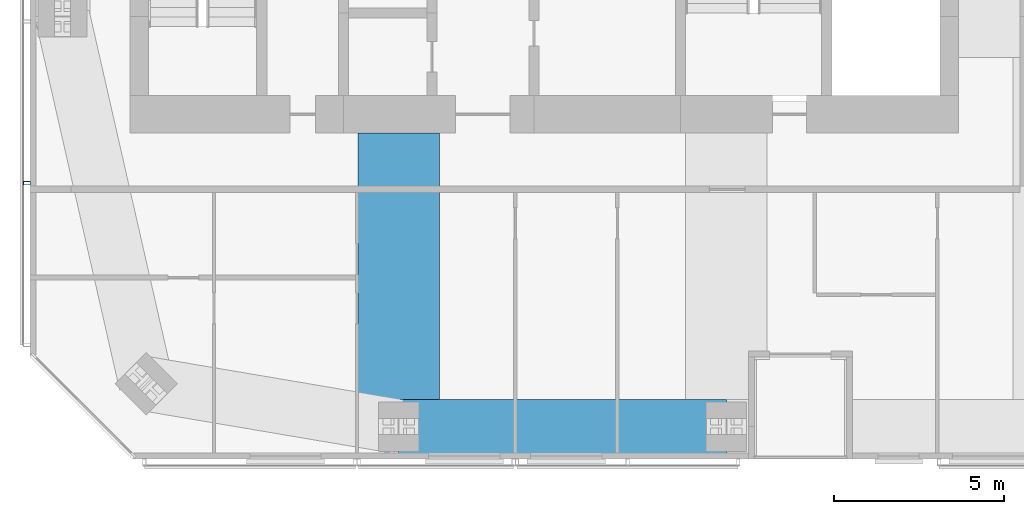
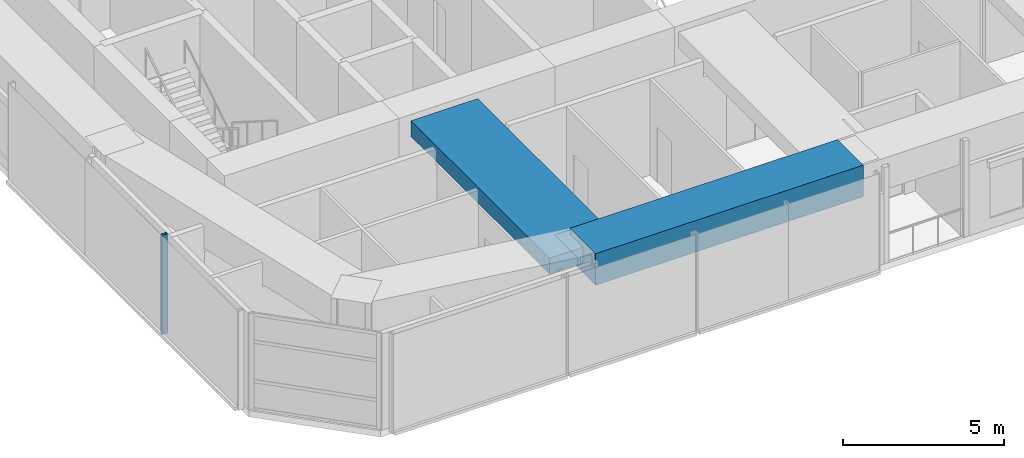
# One storey, part 3 of 20: 2 beams, 1 member, 1 element without a shape of its own.
"""IFC4 building model written with IfcOpenShell, lengths in metres."""

from ifc_helpers import new_model, si_unit, direction, frame, origin, origin_2d, place, context, subcontext, project, spatial, rectangle, hollow_rectangle, extrude, material, material_profile, profile_set, type_object, element, aggregate, save


model = new_model("IFC4")

# Units and contexts
model_context = context("Model", 3, precision=1e-05, world=origin(), true_north=direction((0.0, 1.0)))
body_context = subcontext(model_context, "Body", "Model", "MODEL_VIEW")
ifc_project = project(units=[si_unit("LENGTHUNIT", "METRE"), si_unit("AREAUNIT", "SQUARE_METRE"), si_unit("VOLUMEUNIT", "CUBIC_METRE"), si_unit("PLANEANGLEUNIT", "RADIAN"), si_unit("MASSUNIT", "GRAM", prefix="KILO")], contexts=[model_context])

# Site, building, storey
site_placement = place(None, origin())
site = spatial("IfcSite", under=ifc_project, at=site_placement, CompositionType="ELEMENT")
building_placement = place(site_placement, origin())
building = spatial("IfcBuilding", under=site, at=building_placement, Name="Jalousie Tower", CompositionType="ELEMENT")
storey_placement = place(building_placement, frame((0.0, 0.0, 259.949951171875)))
storey = spatial("IfcBuildingStorey", under=building, at=storey_placement, Name="L71", CompositionType="ELEMENT", Elevation=259.949951171875)

# Beams
ifc_material_1 = material(Name="Concrete f'c 40 MPa", Category="concrete")
ifc_material_profile_1 = material_profile(ifc_material_1, rectangle(XDim=1.60009765625, YDim=1.199951171875, at=origin_2d()), Name="RC 1600x1200")
ifc_profile_set_1 = profile_set([ifc_material_profile_1], Name="Concrete f'c 40 MPa")
beam_type_1 = type_object("IfcBeamType", Name="RC BEAM 1600x1200", PredefinedType="BEAM", material=ifc_profile_set_1)
beam_1_placement = place(storey_placement, frame((27.625, 0.949951171875, 3.300048828125), z_axis=(1.0, 0.0, 0.0), x_axis=(0.0, 1.0, 0.0)))
element("IfcBeam", 1, at=beam_1_placement, inside=storey, type_object=beam_type_1, Name="Edge band beam 02-03 under L72", PredefinedType="BEAM", context=body_context, shape_type="SweptSolid", body=[
    extrude(rectangle(XDim=1.60009765625, YDim=1.199951171875, at=origin_2d()), origin(), (0.0, 0.0, 1.0), 9.625),
])
ifc_material_2 = material(Name="Concrete f'c 40 MPa", Category="concrete")
ifc_material_profile_2 = material_profile(ifc_material_2, rectangle(XDim=2.39990234375, YDim=0.60009765625, at=origin_2d()), Name="RC 2400x600")
ifc_profile_set_2 = profile_set([ifc_material_profile_2], Name="Concrete f'c 40 MPa")
beam_type_2 = type_object("IfcBeamType", Name="RC BEAM 2400x600", PredefinedType="BEAM", material=ifc_profile_set_2)
beam_2_placement = place(storey_placement, frame((27.625, 0.949951171875, 3.360107421875), z_axis=(0.0, 1.0, 0.0), x_axis=(-1.0, 0.0, 0.0)))
element("IfcBeam", 2, at=beam_2_placement, inside=storey, type_object=beam_type_2, Name="Floor band beam under L72", PredefinedType="BEAM", context=body_context, shape_type="SweptSolid", body=[
    extrude(rectangle(XDim=2.39990234375, YDim=0.60009765625, at=origin_2d()), origin(), (0.0, 0.0, 1.0), 8.625),
])

# Curtain wall, member
ifc_material_3 = material(Name="Perforated aluminium sheet", Category="aluminium")
curtain_wall_type = type_object("IfcCurtainWallType", Name="SOLAR SCREEN SS-2", PredefinedType="USERDEFINED", material=ifc_material_3)
curtain_wall_placement = place(storey_placement, origin())
curtain_wall = element("IfcCurtainWall", 3, at=curtain_wall_placement, inside=storey, type_object=curtain_wall_type, Name="Solar screen L71", ObjectType="SOLAR SCREEN SS-2", PredefinedType="USERDEFINED")
ifc_material_4 = material(Name="Steel ASTM A500 Grade C", Category="steel")
ifc_material_profile_3 = material_profile(ifc_material_4, hollow_rectangle(XDim=0.1015625, YDim=0.203125, WallThickness=0.0078125, at=origin_2d()), Name="HSS8X4X5/16")
ifc_profile_set_3 = profile_set([ifc_material_profile_3], Name="Steel ASTM A500 Grade C")
member_type = type_object("IfcMemberType", Name="SOLAR SCREEN SS-2 MULLION", PredefinedType="MULLION", material=ifc_profile_set_3)
member_placement = place(storey_placement, frame((16.703369140625, 8.100830078125, -0.119873046875), z_axis=(0.0, 0.0, 1.0), x_axis=(0.0, -1.0, 0.0)))
member = element("IfcMember", 4, at=member_placement, type_object=member_type, Name="SS2 post 3", PredefinedType="MULLION", context=body_context, shape_type="SweptSolid", body=[
    extrude(hollow_rectangle(XDim=0.1015625, YDim=0.203125, WallThickness=0.0078125, at=origin_2d()), origin(), (0.0, 0.0, 1.0), 3.780029296875),
])
aggregate(curtain_wall, [member])

save(model, "model.ifc")
